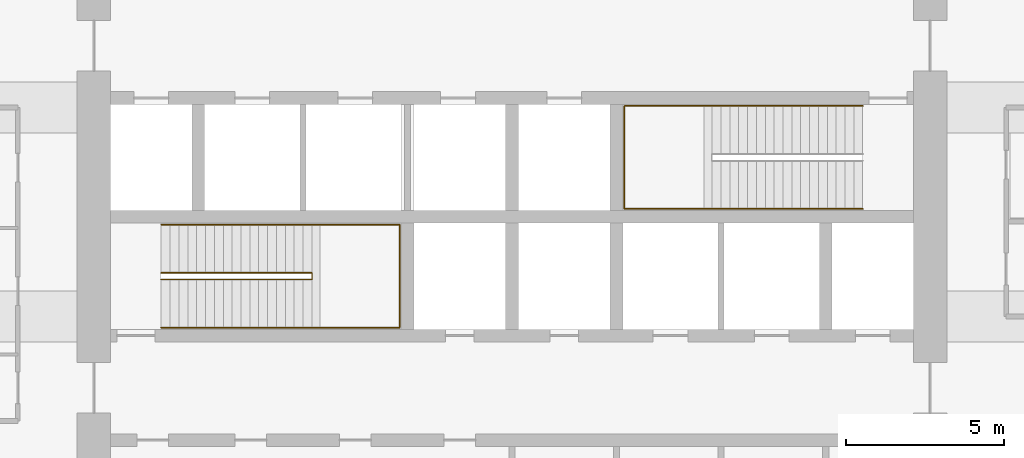
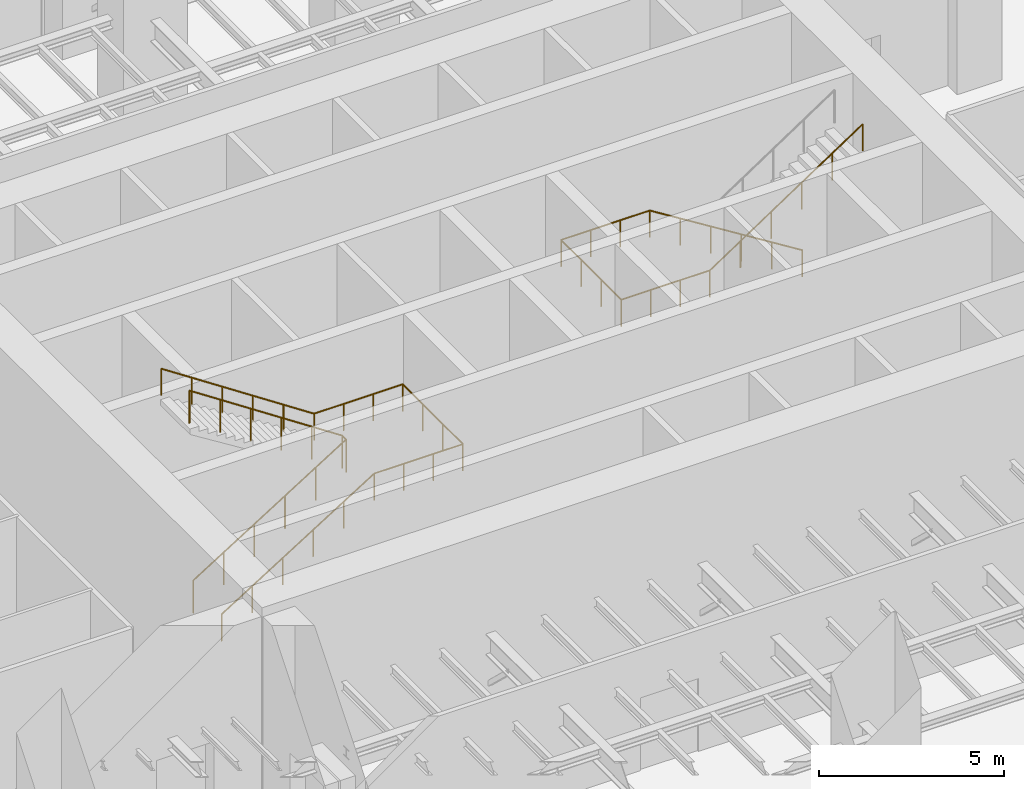
# One storey, part 15 of 16: 3 railings.
"""IFC4 building model written with IfcOpenShell, lengths in metres."""

from ifc_helpers import new_model, si_unit, direction, frame, origin, place, context, subcontext, project, spatial, polyline, outline, extrude, material, type_object, element, save


model = new_model("IFC4")

# Units and contexts
model_context = context("Model", 3, precision=1e-05, world=origin(), true_north=direction((0.0, 1.0)))
body_context = subcontext(model_context, "Body", "Model", "MODEL_VIEW")
ifc_project = project(units=[si_unit("LENGTHUNIT", "METRE"), si_unit("AREAUNIT", "SQUARE_METRE"), si_unit("VOLUMEUNIT", "CUBIC_METRE"), si_unit("PLANEANGLEUNIT", "RADIAN"), si_unit("MASSUNIT", "GRAM", prefix="KILO")], contexts=[model_context])

# Site, building, storey
site_placement = place(None, origin())
site = spatial("IfcSite", under=ifc_project, at=site_placement, CompositionType="ELEMENT")
building_placement = place(site_placement, origin())
building = spatial("IfcBuilding", under=site, at=building_placement, Name="Cobogo Forest Laboratory Tower", CompositionType="ELEMENT")
storey_placement = place(building_placement, frame((0.0, 0.0, 149.39990234375)))
storey = spatial("IfcBuildingStorey", under=building, at=storey_placement, Name="L34", CompositionType="ELEMENT", Elevation=149.39990234375)

# Railings
ifc_material_1 = material(Name="Steel balustrade", Category="steel")
railing_type_1 = type_object("IfcRailingType", Name="GR stair guard 1100", PredefinedType="GUARDRAIL", material=ifc_material_1)
railing_1_placement = place(storey_placement, frame((15.324951171875, 20.969970703125, 0.175048828125)))
element("IfcRailing", 1, at=railing_1_placement, inside=storey, type_object=railing_type_1, Name="Stair guard ST1 L34", PredefinedType="GUARDRAIL", context=body_context, shape_type="SweptSolid", body=[
    extrude(outline(polyline([(0.022216796875, 0.00927734375), (0.00927734375, 0.022216796875), (-0.00927734375, 0.022216796875), (-0.022216796875, 0.00927734375), (-0.022216796875, -0.00927734375), (-0.00927734375, -0.022216796875), (0.00927734375, -0.022216796875), (0.022216796875, -0.00927734375), (0.022216796875, 0.00927734375)])), frame((0.0, 0.0, 1.077880859375), z_axis=(0.847990973574, 0.0, 0.530010668512), x_axis=(0.0, 1.0, 0.0)), (0.0, 0.0, 1.0), 5.61328125),
    extrude(outline(polyline([(0.022216796875, 0.00927734375), (0.00927734375, 0.022216796875), (-0.00927734375, 0.022216796875), (-0.022216796875, 0.00927734375), (-0.022216796875, -0.00927734375), (-0.00927734375, -0.022216796875), (0.00927734375, -0.022216796875), (0.022216796875, -0.00927734375), (0.022216796875, 0.00927734375)])), frame((4.760009765625, 0.0, 4.052978515625), z_axis=(0.0, 1.0, 0.0), x_axis=(-1.0, 0.0, 0.0)), (0.0, 0.0, 1.0), 0.2099609375),
    extrude(outline(polyline([(0.022216796875, 0.00927734375), (0.00927734375, 0.022216796875), (-0.00927734375, 0.022216796875), (-0.022216796875, 0.00927734375), (-0.022216796875, -0.00927734375), (-0.00927734375, -0.022216796875), (0.00927734375, -0.022216796875), (0.022216796875, -0.00927734375), (0.022216796875, 0.00927734375)])), frame((4.760009765625, 0.2099609375, 4.052978515625), z_axis=(-0.833940600646, 0.0, 0.551854214983), x_axis=(0.0, -1.0, 0.0)), (0.0, 0.0, 1.0), 5.707763671875),
    extrude(outline(polyline([(0.019287109375, 0.008056640625), (0.008056640625, 0.019287109375), (-0.008056640625, 0.019287109375), (-0.019287109375, 0.008056640625), (-0.019287109375, -0.008056640625), (-0.008056640625, -0.019287109375), (0.008056640625, -0.019287109375), (0.019287109375, -0.008056640625), (0.019287109375, 0.008056640625)])), origin(), (0.0, 0.0, 1.0), 1.077880859375),
    extrude(outline(polyline([(0.019287109375, 0.008056640625), (0.008056640625, 0.019287109375), (-0.008056640625, 0.019287109375), (-0.019287109375, 0.008056640625), (-0.019287109375, -0.008056640625), (-0.008056640625, -0.019287109375), (0.008056640625, -0.019287109375), (0.019287109375, -0.008056640625), (0.019287109375, 0.008056640625)])), frame((0.951904296875, 0.0, 0.594970703125)), (0.0, 0.0, 1.0), 1.077880859375),
    extrude(outline(polyline([(0.019287109375, 0.008056640625), (0.008056640625, 0.019287109375), (-0.008056640625, 0.019287109375), (-0.019287109375, 0.008056640625), (-0.019287109375, -0.008056640625), (-0.008056640625, -0.019287109375), (0.008056640625, -0.019287109375), (0.019287109375, -0.008056640625), (0.019287109375, 0.008056640625)])), frame((1.904052734375, 0.0, 1.18994140625)), (0.0, 0.0, 1.0), 1.077880859375),
    extrude(outline(polyline([(0.019287109375, 0.008056640625), (0.008056640625, 0.019287109375), (-0.008056640625, 0.019287109375), (-0.019287109375, 0.008056640625), (-0.019287109375, -0.008056640625), (-0.008056640625, -0.019287109375), (0.008056640625, -0.019287109375), (0.019287109375, -0.008056640625), (0.019287109375, 0.008056640625)])), frame((2.85595703125, 0.0, 1.78515625)), (0.0, 0.0, 1.0), 1.077880859375),
    extrude(outline(polyline([(0.019287109375, 0.008056640625), (0.008056640625, 0.019287109375), (-0.008056640625, 0.019287109375), (-0.019287109375, 0.008056640625), (-0.019287109375, -0.008056640625), (-0.008056640625, -0.019287109375), (0.008056640625, -0.019287109375), (0.019287109375, -0.008056640625), (0.019287109375, 0.008056640625)])), frame((3.80810546875, 0.0, 2.380126953125)), (0.0, 0.0, 1.0), 1.077880859375),
    extrude(outline(polyline([(0.019287109375, 0.008056640625), (0.008056640625, 0.019287109375), (-0.008056640625, 0.019287109375), (-0.019287109375, 0.008056640625), (-0.019287109375, -0.008056640625), (-0.008056640625, -0.019287109375), (0.008056640625, -0.019287109375), (0.019287109375, -0.008056640625), (0.019287109375, 0.008056640625)])), frame((4.760009765625, 0.0, 2.97509765625)), (0.0, 0.0, 1.0), 1.077880859375),
    extrude(outline(polyline([(0.019287109375, 0.008056640625), (0.008056640625, 0.019287109375), (-0.008056640625, 0.019287109375), (-0.019287109375, 0.008056640625), (-0.019287109375, -0.008056640625), (-0.008056640625, -0.019287109375), (0.008056640625, -0.019287109375), (0.019287109375, -0.008056640625), (0.019287109375, 0.008056640625)])), frame((4.760009765625, 0.2099609375, 2.97509765625)), (0.0, 0.0, 1.0), 1.077880859375),
    extrude(outline(polyline([(0.019287109375, 0.008056640625), (0.008056640625, 0.019287109375), (-0.008056640625, 0.019287109375), (-0.019287109375, 0.008056640625), (-0.019287109375, -0.008056640625), (-0.008056640625, -0.019287109375), (0.008056640625, -0.019287109375), (0.019287109375, -0.008056640625), (0.019287109375, 0.008056640625)])), frame((3.80810546875, 0.2099609375, 3.60498046875)), (0.0, 0.0, 1.0), 1.077880859375),
    extrude(outline(polyline([(0.019287109375, 0.008056640625), (0.008056640625, 0.019287109375), (-0.008056640625, 0.019287109375), (-0.019287109375, 0.008056640625), (-0.019287109375, -0.008056640625), (-0.008056640625, -0.019287109375), (0.008056640625, -0.019287109375), (0.019287109375, -0.008056640625), (0.019287109375, 0.008056640625)])), frame((2.85595703125, 0.2099609375, 4.235107421875)), (0.0, 0.0, 1.0), 1.077880859375),
    extrude(outline(polyline([(0.019287109375, 0.008056640625), (0.008056640625, 0.019287109375), (-0.008056640625, 0.019287109375), (-0.019287109375, 0.008056640625), (-0.019287109375, -0.008056640625), (-0.008056640625, -0.019287109375), (0.008056640625, -0.019287109375), (0.019287109375, -0.008056640625), (0.019287109375, 0.008056640625)])), frame((1.904052734375, 0.2099609375, 4.864990234375)), (0.0, 0.0, 1.0), 1.077880859375),
    extrude(outline(polyline([(0.019287109375, 0.008056640625), (0.008056640625, 0.019287109375), (-0.008056640625, 0.019287109375), (-0.019287109375, 0.008056640625), (-0.019287109375, -0.008056640625), (-0.008056640625, -0.019287109375), (0.008056640625, -0.019287109375), (0.019287109375, -0.008056640625), (0.019287109375, 0.008056640625)])), frame((0.951904296875, 0.2099609375, 5.4951171875)), (0.0, 0.0, 1.0), 1.077880859375),
    extrude(outline(polyline([(0.019287109375, 0.008056640625), (0.008056640625, 0.019287109375), (-0.008056640625, 0.019287109375), (-0.019287109375, 0.008056640625), (-0.019287109375, -0.008056640625), (-0.008056640625, -0.019287109375), (0.008056640625, -0.019287109375), (0.019287109375, -0.008056640625), (0.019287109375, 0.008056640625)])), frame((0.0, 0.2099609375, 6.125)), (0.0, 0.0, 1.0), 1.077880859375),
])
ifc_material_2 = material(Name="Stainless steel handrail", Category="steel")
railing_type_2 = type_object("IfcRailingType", Name="HR handrail 900", PredefinedType="HANDRAIL", material=ifc_material_2)
railing_2_placement = place(storey_placement, frame((15.324951171875, 19.449951171875, 0.175048828125)))
element("IfcRailing", 2, at=railing_2_placement, inside=storey, type_object=railing_type_2, Name="Stair handrail ST1 L34", PredefinedType="HANDRAIL", context=body_context, shape_type="SweptSolid", body=[
    extrude(outline(polyline([(0.022216796875, 0.00927734375), (0.00927734375, 0.022216796875), (-0.00927734375, 0.022216796875), (-0.022216796875, 0.00927734375), (-0.022216796875, -0.00927734375), (-0.00927734375, -0.022216796875), (0.00927734375, -0.022216796875), (0.022216796875, -0.00927734375), (0.022216796875, 0.00927734375)])), frame((0.0, 0.0, 0.877685546875), z_axis=(0.847990973574, 0.0, 0.530010668512), x_axis=(0.0, 1.0, 0.0)), (0.0, 0.0, 1.0), 5.61328125),
    extrude(outline(polyline([(0.022216796875, 0.00927734375), (0.00927734375, 0.022216796875), (-0.00927734375, 0.022216796875), (-0.022216796875, 0.00927734375), (-0.022216796875, -0.00927734375), (-0.00927734375, -0.022216796875), (0.00927734375, -0.022216796875), (0.022216796875, -0.00927734375), (0.022216796875, 0.00927734375)])), frame((4.760009765625, 0.0, 3.852783203125), z_axis=(1.0, 0.0, 0.0), x_axis=(0.0, 1.0, 0.0)), (0.0, 0.0, 1.0), 2.76513671875),
    extrude(outline(polyline([(0.022216796875, 0.00927734375), (0.00927734375, 0.022216796875), (-0.00927734375, 0.022216796875), (-0.022216796875, 0.00927734375), (-0.022216796875, -0.00927734375), (-0.00927734375, -0.022216796875), (0.00927734375, -0.022216796875), (0.022216796875, -0.00927734375), (0.022216796875, 0.00927734375)])), frame((7.525146484375, 0.0, 3.852783203125), z_axis=(0.0, 1.0, 0.0), x_axis=(-1.0, 0.0, 0.0)), (0.0, 0.0, 1.0), 3.25),
    extrude(outline(polyline([(0.022216796875, 0.00927734375), (0.00927734375, 0.022216796875), (-0.00927734375, 0.022216796875), (-0.022216796875, 0.00927734375), (-0.022216796875, -0.00927734375), (-0.00927734375, -0.022216796875), (0.00927734375, -0.022216796875), (0.022216796875, -0.00927734375), (0.022216796875, 0.00927734375)])), frame((7.525146484375, 3.25, 3.852783203125), z_axis=(-1.0, 0.0, 0.0), x_axis=(0.0, -1.0, 0.0)), (0.0, 0.0, 1.0), 2.76513671875),
    extrude(outline(polyline([(0.022216796875, 0.00927734375), (0.00927734375, 0.022216796875), (-0.00927734375, 0.022216796875), (-0.022216796875, 0.00927734375), (-0.022216796875, -0.00927734375), (-0.00927734375, -0.022216796875), (0.00927734375, -0.022216796875), (0.022216796875, -0.00927734375), (0.022216796875, 0.00927734375)])), frame((4.760009765625, 3.25, 3.852783203125), z_axis=(-0.833940600646, 0.0, 0.551854214983), x_axis=(0.0, -1.0, 0.0)), (0.0, 0.0, 1.0), 5.707763671875),
    extrude(outline(polyline([(0.019287109375, 0.008056640625), (0.008056640625, 0.019287109375), (-0.008056640625, 0.019287109375), (-0.019287109375, 0.008056640625), (-0.019287109375, -0.008056640625), (-0.008056640625, -0.019287109375), (0.008056640625, -0.019287109375), (0.019287109375, -0.008056640625), (0.019287109375, 0.008056640625)])), origin(), (0.0, 0.0, 1.0), 0.877685546875),
    extrude(outline(polyline([(0.019287109375, 0.008056640625), (0.008056640625, 0.019287109375), (-0.008056640625, 0.019287109375), (-0.019287109375, 0.008056640625), (-0.019287109375, -0.008056640625), (-0.008056640625, -0.019287109375), (0.008056640625, -0.019287109375), (0.019287109375, -0.008056640625), (0.019287109375, 0.008056640625)])), frame((0.951904296875, 0.0, 0.594970703125)), (0.0, 0.0, 1.0), 0.877685546875),
    extrude(outline(polyline([(0.019287109375, 0.008056640625), (0.008056640625, 0.019287109375), (-0.008056640625, 0.019287109375), (-0.019287109375, 0.008056640625), (-0.019287109375, -0.008056640625), (-0.008056640625, -0.019287109375), (0.008056640625, -0.019287109375), (0.019287109375, -0.008056640625), (0.019287109375, 0.008056640625)])), frame((1.904052734375, 0.0, 1.18994140625)), (0.0, 0.0, 1.0), 0.877685546875),
    extrude(outline(polyline([(0.019287109375, 0.008056640625), (0.008056640625, 0.019287109375), (-0.008056640625, 0.019287109375), (-0.019287109375, 0.008056640625), (-0.019287109375, -0.008056640625), (-0.008056640625, -0.019287109375), (0.008056640625, -0.019287109375), (0.019287109375, -0.008056640625), (0.019287109375, 0.008056640625)])), frame((2.85595703125, 0.0, 1.78515625)), (0.0, 0.0, 1.0), 0.877685546875),
    extrude(outline(polyline([(0.019287109375, 0.008056640625), (0.008056640625, 0.019287109375), (-0.008056640625, 0.019287109375), (-0.019287109375, 0.008056640625), (-0.019287109375, -0.008056640625), (-0.008056640625, -0.019287109375), (0.008056640625, -0.019287109375), (0.019287109375, -0.008056640625), (0.019287109375, 0.008056640625)])), frame((3.80810546875, 0.0, 2.380126953125)), (0.0, 0.0, 1.0), 0.877685546875),
    extrude(outline(polyline([(0.019287109375, 0.008056640625), (0.008056640625, 0.019287109375), (-0.008056640625, 0.019287109375), (-0.019287109375, 0.008056640625), (-0.019287109375, -0.008056640625), (-0.008056640625, -0.019287109375), (0.008056640625, -0.019287109375), (0.019287109375, -0.008056640625), (0.019287109375, 0.008056640625)])), frame((4.760009765625, 0.0, 2.97509765625)), (0.0, 0.0, 1.0), 0.877685546875),
    extrude(outline(polyline([(0.019287109375, 0.008056640625), (0.008056640625, 0.019287109375), (-0.008056640625, 0.019287109375), (-0.019287109375, 0.008056640625), (-0.019287109375, -0.008056640625), (-0.008056640625, -0.019287109375), (0.008056640625, -0.019287109375), (0.019287109375, -0.008056640625), (0.019287109375, 0.008056640625)])), frame((5.681640625, 0.0, 2.97509765625)), (0.0, 0.0, 1.0), 0.877685546875),
    extrude(outline(polyline([(0.019287109375, 0.008056640625), (0.008056640625, 0.019287109375), (-0.008056640625, 0.019287109375), (-0.019287109375, 0.008056640625), (-0.019287109375, -0.008056640625), (-0.008056640625, -0.019287109375), (0.008056640625, -0.019287109375), (0.019287109375, -0.008056640625), (0.019287109375, 0.008056640625)])), frame((6.603515625, 0.0, 2.97509765625)), (0.0, 0.0, 1.0), 0.877685546875),
    extrude(outline(polyline([(0.019287109375, 0.008056640625), (0.008056640625, 0.019287109375), (-0.008056640625, 0.019287109375), (-0.019287109375, 0.008056640625), (-0.019287109375, -0.008056640625), (-0.008056640625, -0.019287109375), (0.008056640625, -0.019287109375), (0.019287109375, -0.008056640625), (0.019287109375, 0.008056640625)])), frame((7.525146484375, 0.0, 2.97509765625)), (0.0, 0.0, 1.0), 0.877685546875),
    extrude(outline(polyline([(0.019287109375, 0.008056640625), (0.008056640625, 0.019287109375), (-0.008056640625, 0.019287109375), (-0.019287109375, 0.008056640625), (-0.019287109375, -0.008056640625), (-0.008056640625, -0.019287109375), (0.008056640625, -0.019287109375), (0.019287109375, -0.008056640625), (0.019287109375, 0.008056640625)])), frame((7.525146484375, 1.083251953125, 2.97509765625)), (0.0, 0.0, 1.0), 0.877685546875),
    extrude(outline(polyline([(0.019287109375, 0.008056640625), (0.008056640625, 0.019287109375), (-0.008056640625, 0.019287109375), (-0.019287109375, 0.008056640625), (-0.019287109375, -0.008056640625), (-0.008056640625, -0.019287109375), (0.008056640625, -0.019287109375), (0.019287109375, -0.008056640625), (0.019287109375, 0.008056640625)])), frame((7.525146484375, 2.166748046875, 2.97509765625)), (0.0, 0.0, 1.0), 0.877685546875),
    extrude(outline(polyline([(0.019287109375, 0.008056640625), (0.008056640625, 0.019287109375), (-0.008056640625, 0.019287109375), (-0.019287109375, 0.008056640625), (-0.019287109375, -0.008056640625), (-0.008056640625, -0.019287109375), (0.008056640625, -0.019287109375), (0.019287109375, -0.008056640625), (0.019287109375, 0.008056640625)])), frame((7.525146484375, 3.25, 2.97509765625)), (0.0, 0.0, 1.0), 0.877685546875),
    extrude(outline(polyline([(0.019287109375, 0.008056640625), (0.008056640625, 0.019287109375), (-0.008056640625, 0.019287109375), (-0.019287109375, 0.008056640625), (-0.019287109375, -0.008056640625), (-0.008056640625, -0.019287109375), (0.008056640625, -0.019287109375), (0.019287109375, -0.008056640625), (0.019287109375, 0.008056640625)])), frame((6.603515625, 3.25, 2.97509765625)), (0.0, 0.0, 1.0), 0.877685546875),
    extrude(outline(polyline([(0.019287109375, 0.008056640625), (0.008056640625, 0.019287109375), (-0.008056640625, 0.019287109375), (-0.019287109375, 0.008056640625), (-0.019287109375, -0.008056640625), (-0.008056640625, -0.019287109375), (0.008056640625, -0.019287109375), (0.019287109375, -0.008056640625), (0.019287109375, 0.008056640625)])), frame((5.681640625, 3.25, 2.97509765625)), (0.0, 0.0, 1.0), 0.877685546875),
    extrude(outline(polyline([(0.019287109375, 0.008056640625), (0.008056640625, 0.019287109375), (-0.008056640625, 0.019287109375), (-0.019287109375, 0.008056640625), (-0.019287109375, -0.008056640625), (-0.008056640625, -0.019287109375), (0.008056640625, -0.019287109375), (0.019287109375, -0.008056640625), (0.019287109375, 0.008056640625)])), frame((4.760009765625, 3.25, 2.97509765625)), (0.0, 0.0, 1.0), 0.877685546875),
    extrude(outline(polyline([(0.019287109375, 0.008056640625), (0.008056640625, 0.019287109375), (-0.008056640625, 0.019287109375), (-0.019287109375, 0.008056640625), (-0.019287109375, -0.008056640625), (-0.008056640625, -0.019287109375), (0.008056640625, -0.019287109375), (0.019287109375, -0.008056640625), (0.019287109375, 0.008056640625)])), frame((3.80810546875, 3.25, 3.60498046875)), (0.0, 0.0, 1.0), 0.877685546875),
    extrude(outline(polyline([(0.019287109375, 0.008056640625), (0.008056640625, 0.019287109375), (-0.008056640625, 0.019287109375), (-0.019287109375, 0.008056640625), (-0.019287109375, -0.008056640625), (-0.008056640625, -0.019287109375), (0.008056640625, -0.019287109375), (0.019287109375, -0.008056640625), (0.019287109375, 0.008056640625)])), frame((2.85595703125, 3.25, 4.235107421875)), (0.0, 0.0, 1.0), 0.877685546875),
    extrude(outline(polyline([(0.019287109375, 0.008056640625), (0.008056640625, 0.019287109375), (-0.008056640625, 0.019287109375), (-0.019287109375, 0.008056640625), (-0.019287109375, -0.008056640625), (-0.008056640625, -0.019287109375), (0.008056640625, -0.019287109375), (0.019287109375, -0.008056640625), (0.019287109375, 0.008056640625)])), frame((1.904052734375, 3.25, 4.864990234375)), (0.0, 0.0, 1.0), 0.877685546875),
    extrude(outline(polyline([(0.019287109375, 0.008056640625), (0.008056640625, 0.019287109375), (-0.008056640625, 0.019287109375), (-0.019287109375, 0.008056640625), (-0.019287109375, -0.008056640625), (-0.008056640625, -0.019287109375), (0.008056640625, -0.019287109375), (0.019287109375, -0.008056640625), (0.019287109375, 0.008056640625)])), frame((0.951904296875, 3.25, 5.4951171875)), (0.0, 0.0, 1.0), 0.877685546875),
    extrude(outline(polyline([(0.019287109375, 0.008056640625), (0.008056640625, 0.019287109375), (-0.008056640625, 0.019287109375), (-0.019287109375, 0.008056640625), (-0.019287109375, -0.008056640625), (-0.008056640625, -0.019287109375), (0.008056640625, -0.019287109375), (0.019287109375, -0.008056640625), (0.019287109375, 0.008056640625)])), frame((0.0, 3.25, 6.125)), (0.0, 0.0, 1.0), 0.877685546875),
])
railing_3_placement = place(storey_placement, frame((37.47509765625, 26.449951171875, 0.175048828125)))
element("IfcRailing", 3, at=railing_3_placement, inside=storey, type_object=railing_type_2, Name="Stair handrail ST2 L34", PredefinedType="HANDRAIL", context=body_context, shape_type="SweptSolid", body=[
    extrude(outline(polyline([(0.022216796875, 0.00927734375), (0.00927734375, 0.022216796875), (-0.00927734375, 0.022216796875), (-0.022216796875, 0.00927734375), (-0.022216796875, -0.00927734375), (-0.00927734375, -0.022216796875), (0.00927734375, -0.022216796875), (0.022216796875, -0.00927734375), (0.022216796875, 0.00927734375)])), frame((0.0, 0.0, 0.877685546875), z_axis=(-0.847990973574, 0.0, 0.530010668512), x_axis=(0.0, -1.0, 0.0)), (0.0, 0.0, 1.0), 5.61328125),
    extrude(outline(polyline([(0.022216796875, 0.00927734375), (0.00927734375, 0.022216796875), (-0.00927734375, 0.022216796875), (-0.022216796875, 0.00927734375), (-0.022216796875, -0.00927734375), (-0.00927734375, -0.022216796875), (0.00927734375, -0.022216796875), (0.022216796875, -0.00927734375), (0.022216796875, 0.00927734375)])), frame((-4.760009765625, 0.0, 3.852783203125), z_axis=(-1.0, 0.0, 0.0), x_axis=(0.0, -1.0, 0.0)), (0.0, 0.0, 1.0), 2.76513671875),
    extrude(outline(polyline([(0.022216796875, 0.00927734375), (0.00927734375, 0.022216796875), (-0.00927734375, 0.022216796875), (-0.022216796875, 0.00927734375), (-0.022216796875, -0.00927734375), (-0.00927734375, -0.022216796875), (0.00927734375, -0.022216796875), (0.022216796875, -0.00927734375), (0.022216796875, 0.00927734375)])), frame((-7.525146484375, 0.0, 3.852783203125), z_axis=(0.0, -1.0, 0.0), x_axis=(1.0, 0.0, 0.0)), (0.0, 0.0, 1.0), 3.25),
    extrude(outline(polyline([(0.022216796875, 0.00927734375), (0.00927734375, 0.022216796875), (-0.00927734375, 0.022216796875), (-0.022216796875, 0.00927734375), (-0.022216796875, -0.00927734375), (-0.00927734375, -0.022216796875), (0.00927734375, -0.022216796875), (0.022216796875, -0.00927734375), (0.022216796875, 0.00927734375)])), frame((-7.525146484375, -3.25, 3.852783203125), z_axis=(1.0, 0.0, 0.0), x_axis=(0.0, 1.0, 0.0)), (0.0, 0.0, 1.0), 2.76513671875),
    extrude(outline(polyline([(0.022216796875, 0.00927734375), (0.00927734375, 0.022216796875), (-0.00927734375, 0.022216796875), (-0.022216796875, 0.00927734375), (-0.022216796875, -0.00927734375), (-0.00927734375, -0.022216796875), (0.00927734375, -0.022216796875), (0.022216796875, -0.00927734375), (0.022216796875, 0.00927734375)])), frame((-4.760009765625, -3.25, 3.852783203125), z_axis=(0.833940600646, 0.0, 0.551854214983), x_axis=(0.0, 1.0, 0.0)), (0.0, 0.0, 1.0), 5.707763671875),
    extrude(outline(polyline([(0.019287109375, 0.008056640625), (0.008056640625, 0.019287109375), (-0.008056640625, 0.019287109375), (-0.019287109375, 0.008056640625), (-0.019287109375, -0.008056640625), (-0.008056640625, -0.019287109375), (0.008056640625, -0.019287109375), (0.019287109375, -0.008056640625), (0.019287109375, 0.008056640625)])), origin(), (0.0, 0.0, 1.0), 0.877685546875),
    extrude(outline(polyline([(0.019287109375, 0.008056640625), (0.008056640625, 0.019287109375), (-0.008056640625, 0.019287109375), (-0.019287109375, 0.008056640625), (-0.019287109375, -0.008056640625), (-0.008056640625, -0.019287109375), (0.008056640625, -0.019287109375), (0.019287109375, -0.008056640625), (0.019287109375, 0.008056640625)])), frame((-0.951904296875, 0.0, 0.594970703125)), (0.0, 0.0, 1.0), 0.877685546875),
    extrude(outline(polyline([(0.019287109375, 0.008056640625), (0.008056640625, 0.019287109375), (-0.008056640625, 0.019287109375), (-0.019287109375, 0.008056640625), (-0.019287109375, -0.008056640625), (-0.008056640625, -0.019287109375), (0.008056640625, -0.019287109375), (0.019287109375, -0.008056640625), (0.019287109375, 0.008056640625)])), frame((-1.904052734375, 0.0, 1.18994140625)), (0.0, 0.0, 1.0), 0.877685546875),
    extrude(outline(polyline([(0.019287109375, 0.008056640625), (0.008056640625, 0.019287109375), (-0.008056640625, 0.019287109375), (-0.019287109375, 0.008056640625), (-0.019287109375, -0.008056640625), (-0.008056640625, -0.019287109375), (0.008056640625, -0.019287109375), (0.019287109375, -0.008056640625), (0.019287109375, 0.008056640625)])), frame((-2.85595703125, 0.0, 1.78515625)), (0.0, 0.0, 1.0), 0.877685546875),
    extrude(outline(polyline([(0.019287109375, 0.008056640625), (0.008056640625, 0.019287109375), (-0.008056640625, 0.019287109375), (-0.019287109375, 0.008056640625), (-0.019287109375, -0.008056640625), (-0.008056640625, -0.019287109375), (0.008056640625, -0.019287109375), (0.019287109375, -0.008056640625), (0.019287109375, 0.008056640625)])), frame((-3.80810546875, 0.0, 2.380126953125)), (0.0, 0.0, 1.0), 0.877685546875),
    extrude(outline(polyline([(0.019287109375, 0.008056640625), (0.008056640625, 0.019287109375), (-0.008056640625, 0.019287109375), (-0.019287109375, 0.008056640625), (-0.019287109375, -0.008056640625), (-0.008056640625, -0.019287109375), (0.008056640625, -0.019287109375), (0.019287109375, -0.008056640625), (0.019287109375, 0.008056640625)])), frame((-4.760009765625, 0.0, 2.97509765625)), (0.0, 0.0, 1.0), 0.877685546875),
    extrude(outline(polyline([(0.019287109375, 0.008056640625), (0.008056640625, 0.019287109375), (-0.008056640625, 0.019287109375), (-0.019287109375, 0.008056640625), (-0.019287109375, -0.008056640625), (-0.008056640625, -0.019287109375), (0.008056640625, -0.019287109375), (0.019287109375, -0.008056640625), (0.019287109375, 0.008056640625)])), frame((-5.681640625, 0.0, 2.97509765625)), (0.0, 0.0, 1.0), 0.877685546875),
    extrude(outline(polyline([(0.019287109375, 0.008056640625), (0.008056640625, 0.019287109375), (-0.008056640625, 0.019287109375), (-0.019287109375, 0.008056640625), (-0.019287109375, -0.008056640625), (-0.008056640625, -0.019287109375), (0.008056640625, -0.019287109375), (0.019287109375, -0.008056640625), (0.019287109375, 0.008056640625)])), frame((-6.603515625, 0.0, 2.97509765625)), (0.0, 0.0, 1.0), 0.877685546875),
    extrude(outline(polyline([(0.019287109375, 0.008056640625), (0.008056640625, 0.019287109375), (-0.008056640625, 0.019287109375), (-0.019287109375, 0.008056640625), (-0.019287109375, -0.008056640625), (-0.008056640625, -0.019287109375), (0.008056640625, -0.019287109375), (0.019287109375, -0.008056640625), (0.019287109375, 0.008056640625)])), frame((-7.525146484375, 0.0, 2.97509765625)), (0.0, 0.0, 1.0), 0.877685546875),
    extrude(outline(polyline([(0.019287109375, 0.008056640625), (0.008056640625, 0.019287109375), (-0.008056640625, 0.019287109375), (-0.019287109375, 0.008056640625), (-0.019287109375, -0.008056640625), (-0.008056640625, -0.019287109375), (0.008056640625, -0.019287109375), (0.019287109375, -0.008056640625), (0.019287109375, 0.008056640625)])), frame((-7.525146484375, -1.083251953125, 2.97509765625)), (0.0, 0.0, 1.0), 0.877685546875),
    extrude(outline(polyline([(0.019287109375, 0.008056640625), (0.008056640625, 0.019287109375), (-0.008056640625, 0.019287109375), (-0.019287109375, 0.008056640625), (-0.019287109375, -0.008056640625), (-0.008056640625, -0.019287109375), (0.008056640625, -0.019287109375), (0.019287109375, -0.008056640625), (0.019287109375, 0.008056640625)])), frame((-7.525146484375, -2.166748046875, 2.97509765625)), (0.0, 0.0, 1.0), 0.877685546875),
    extrude(outline(polyline([(0.019287109375, 0.008056640625), (0.008056640625, 0.019287109375), (-0.008056640625, 0.019287109375), (-0.019287109375, 0.008056640625), (-0.019287109375, -0.008056640625), (-0.008056640625, -0.019287109375), (0.008056640625, -0.019287109375), (0.019287109375, -0.008056640625), (0.019287109375, 0.008056640625)])), frame((-7.525146484375, -3.25, 2.97509765625)), (0.0, 0.0, 1.0), 0.877685546875),
    extrude(outline(polyline([(0.019287109375, 0.008056640625), (0.008056640625, 0.019287109375), (-0.008056640625, 0.019287109375), (-0.019287109375, 0.008056640625), (-0.019287109375, -0.008056640625), (-0.008056640625, -0.019287109375), (0.008056640625, -0.019287109375), (0.019287109375, -0.008056640625), (0.019287109375, 0.008056640625)])), frame((-6.603515625, -3.25, 2.97509765625)), (0.0, 0.0, 1.0), 0.877685546875),
    extrude(outline(polyline([(0.019287109375, 0.008056640625), (0.008056640625, 0.019287109375), (-0.008056640625, 0.019287109375), (-0.019287109375, 0.008056640625), (-0.019287109375, -0.008056640625), (-0.008056640625, -0.019287109375), (0.008056640625, -0.019287109375), (0.019287109375, -0.008056640625), (0.019287109375, 0.008056640625)])), frame((-5.681640625, -3.25, 2.97509765625)), (0.0, 0.0, 1.0), 0.877685546875),
    extrude(outline(polyline([(0.019287109375, 0.008056640625), (0.008056640625, 0.019287109375), (-0.008056640625, 0.019287109375), (-0.019287109375, 0.008056640625), (-0.019287109375, -0.008056640625), (-0.008056640625, -0.019287109375), (0.008056640625, -0.019287109375), (0.019287109375, -0.008056640625), (0.019287109375, 0.008056640625)])), frame((-4.760009765625, -3.25, 2.97509765625)), (0.0, 0.0, 1.0), 0.877685546875),
    extrude(outline(polyline([(0.019287109375, 0.008056640625), (0.008056640625, 0.019287109375), (-0.008056640625, 0.019287109375), (-0.019287109375, 0.008056640625), (-0.019287109375, -0.008056640625), (-0.008056640625, -0.019287109375), (0.008056640625, -0.019287109375), (0.019287109375, -0.008056640625), (0.019287109375, 0.008056640625)])), frame((-3.80810546875, -3.25, 3.60498046875)), (0.0, 0.0, 1.0), 0.877685546875),
    extrude(outline(polyline([(0.019287109375, 0.008056640625), (0.008056640625, 0.019287109375), (-0.008056640625, 0.019287109375), (-0.019287109375, 0.008056640625), (-0.019287109375, -0.008056640625), (-0.008056640625, -0.019287109375), (0.008056640625, -0.019287109375), (0.019287109375, -0.008056640625), (0.019287109375, 0.008056640625)])), frame((-2.85595703125, -3.25, 4.235107421875)), (0.0, 0.0, 1.0), 0.877685546875),
    extrude(outline(polyline([(0.019287109375, 0.008056640625), (0.008056640625, 0.019287109375), (-0.008056640625, 0.019287109375), (-0.019287109375, 0.008056640625), (-0.019287109375, -0.008056640625), (-0.008056640625, -0.019287109375), (0.008056640625, -0.019287109375), (0.019287109375, -0.008056640625), (0.019287109375, 0.008056640625)])), frame((-1.904052734375, -3.25, 4.864990234375)), (0.0, 0.0, 1.0), 0.877685546875),
    extrude(outline(polyline([(0.019287109375, 0.008056640625), (0.008056640625, 0.019287109375), (-0.008056640625, 0.019287109375), (-0.019287109375, 0.008056640625), (-0.019287109375, -0.008056640625), (-0.008056640625, -0.019287109375), (0.008056640625, -0.019287109375), (0.019287109375, -0.008056640625), (0.019287109375, 0.008056640625)])), frame((-0.951904296875, -3.25, 5.4951171875)), (0.0, 0.0, 1.0), 0.877685546875),
    extrude(outline(polyline([(0.019287109375, 0.008056640625), (0.008056640625, 0.019287109375), (-0.008056640625, 0.019287109375), (-0.019287109375, 0.008056640625), (-0.019287109375, -0.008056640625), (-0.008056640625, -0.019287109375), (0.008056640625, -0.019287109375), (0.019287109375, -0.008056640625), (0.019287109375, 0.008056640625)])), frame((0.0, -3.25, 6.125)), (0.0, 0.0, 1.0), 0.877685546875),
])

save(model, "model.ifc")
